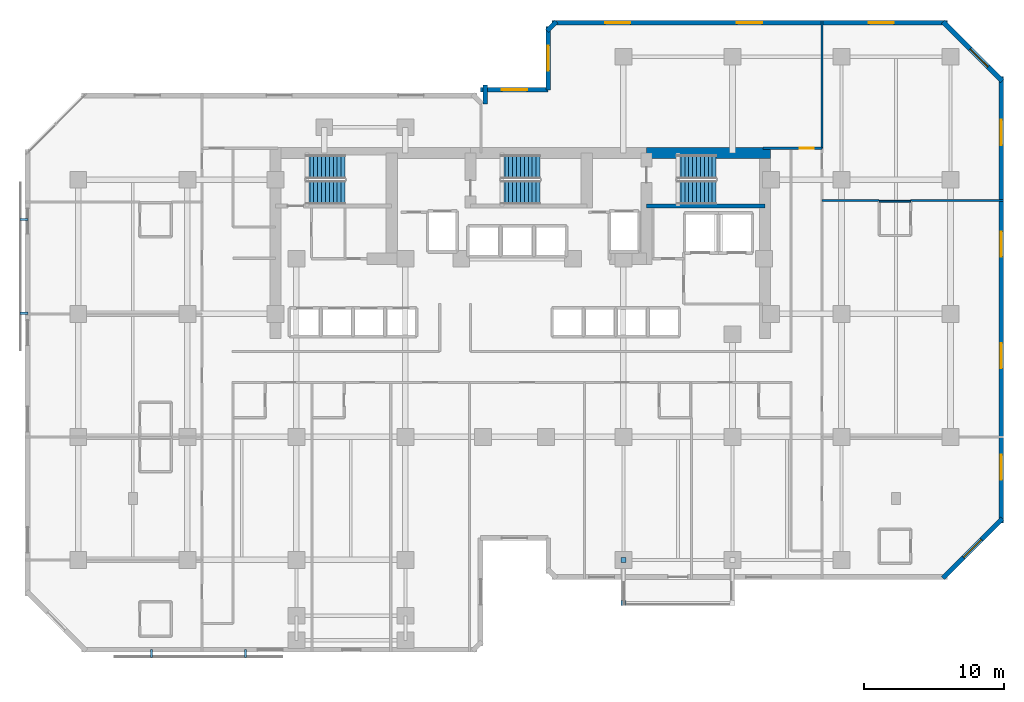
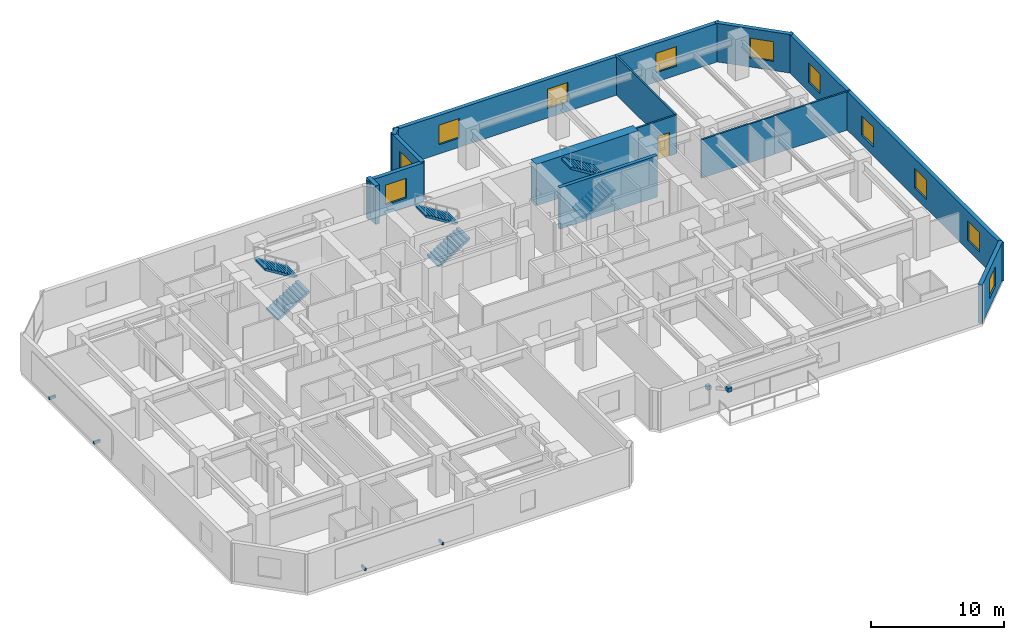
# One storey, part 10 of 13: 15 walls, 11 windows, 6 discrete accessories, 6 stair flights, 1 door, 12 openings, 3 elements without a shape of their own.
"""IFC4 building model written with IfcOpenShell, lengths in metres."""

from ifc_helpers import new_model, si_unit, direction, frame, frame_2d, origin, origin_2d, place, context, subcontext, project, spatial, polyline, rectangle, outline, extrude, material, layer, layer_set, type_object, element, fill, aggregate, save


model = new_model("IFC4")

# Units and contexts
model_context = context("Model", 3, precision=1e-05, world=origin(), true_north=direction((0.0, 1.0)))
body_context = subcontext(model_context, "Body", "Model", "MODEL_VIEW")
ifc_project = project(units=[si_unit("LENGTHUNIT", "METRE"), si_unit("AREAUNIT", "SQUARE_METRE"), si_unit("VOLUMEUNIT", "CUBIC_METRE"), si_unit("PLANEANGLEUNIT", "RADIAN"), si_unit("MASSUNIT", "GRAM", prefix="KILO")], contexts=[model_context])

# Site, building, storey
site_placement = place(None, origin())
site = spatial("IfcSite", under=ifc_project, at=site_placement, CompositionType="ELEMENT")
building_placement = place(site_placement, origin())
building = spatial("IfcBuilding", under=site, at=building_placement, Name="Kestravale Grand Hotel", CompositionType="ELEMENT")
storey_placement = place(building_placement, frame((0.0, 0.0, 88.0)))
storey = spatial("IfcBuildingStorey", under=building, at=storey_placement, Name="L21", CompositionType="ELEMENT", Elevation=88.0)

# Wall
ifc_material_1 = material(Name="Concrete f'c 60 MPa", Category="concrete")
ifc_layer_1 = layer(ifc_material_1, 0.800048828125)
ifc_layer_set_1 = layer_set([ifc_layer_1], Name="EW-CORE-800")
wall_type_1 = type_object("IfcWallType", Name="EW-CORE-800", PredefinedType="SHEAR", material=ifc_layer_set_1)
wall_1_placement = place(storey_placement, frame((48.449951171875, 40.320068359375, 0.0), z_axis=(0.0, 0.0, 1.0), x_axis=(1.0, 0.0, 0.0)))
element("IfcWall", 1, at=wall_1_placement, inside=storey, type_object=wall_type_1, Name="L21 core shear wall N3", PredefinedType="SHEAR", context=body_context, shape_type="SweptSolid", body=[
    extrude(rectangle(XDim=8.8701171875, YDim=0.800048828125, at=frame_2d((4.43505859375, 0.0))), origin(), (0.0, 0.0, 1.0), 3.800048828125),
])

# Wall, opening, window
ifc_material_2 = material(Name="Precast concrete f'c 45 MPa", Category="concrete")
ifc_layer_2 = layer(ifc_material_2, 0.340087890625)
ifc_layer_set_2 = layer_set([ifc_layer_2], Name="EW-PREC-340")
wall_type_2 = type_object("IfcWallType", Name="EW-PREC-340", PredefinedType="SOLIDWALL", material=ifc_layer_set_2)
wall_2_placement = place(storey_placement, frame((69.651611328125, 9.891845703125, 0.0), z_axis=(0.0, 0.0, 1.0), x_axis=(0.707106781187, 0.707106781187, 0.0)))
wall_2 = element("IfcWall", 2, at=wall_2_placement, inside=storey, type_object=wall_type_2, Name="L21 fluted precast facade wall 8", PredefinedType="SOLIDWALL", context=body_context, shape_type="SweptSolid", body=[
    extrude(rectangle(XDim=6.019775390625, YDim=0.340087890625, at=frame_2d((3.009765625, 0.0))), origin(), (0.0, 0.0, 1.0), 3.5400390625),
])
opening_1_placement = place(wall_2_placement, frame((2.10986328125, 0.0, 0.85009765625)))
opening_1 = element("IfcOpeningElement", 3, at=opening_1_placement, cuts=wall_2, Name="Opening W-GUEST-1800", PredefinedType="OPENING", context=body_context, shape_type="SweptSolid", body=[
    extrude(rectangle(XDim=1.800048828125, YDim=1.800048828125, at=frame_2d((0.89990234375, 0.89990234375))), frame((0.0, 0.179931640625, 0.0), z_axis=(0.0, -1.0, 0.0), x_axis=(1.0, 0.0, 0.0)), (0.0, 0.0, 1.0), 0.360107421875),
])
ifc_material_3 = material(Name="Insulated low-E double glazing in aluminium frame", Category="aluminium")
window_type = type_object("IfcWindowType", Name="W-GUEST-1800", PartitioningType="DOUBLE_PANEL_VERTICAL", PredefinedType="WINDOW", material=ifc_material_3)
window_1_placement = place(opening_1_placement, origin())
window_1 = element("IfcWindow", 4, at=window_1_placement, inside=storey, type_object=window_type, Name="L21 exterior window 8.1", OverallHeight=1.800048828125, OverallWidth=1.800048828125, PartitioningType="SINGLE_PANEL", PredefinedType="WINDOW", context=body_context, shape_type="SweptSolid", body=[
    extrude(rectangle(XDim=1.800048828125, YDim=1.800048828125, at=frame_2d((0.89990234375, 0.89990234375))), frame((0.0, 0.030029296875, 0.0), z_axis=(0.0, -1.0, 0.0), x_axis=(1.0, 0.0, 0.0)), (0.0, 0.0, 1.0), 0.06005859375),
])
fill(opening_1, window_1)

# Wall, openings, windows
wall_3_placement = place(storey_placement, frame((73.830078125, 13.830078125, 0.0), z_axis=(0.0, 0.0, 1.0), x_axis=(0.0, 1.0, 0.0)))
wall_3 = element("IfcWall", 5, at=wall_3_placement, inside=storey, type_object=wall_type_2, Name="L21 fluted precast facade wall 9", PredefinedType="SOLIDWALL", context=body_context, shape_type="SweptSolid", body=[
    extrude(rectangle(XDim=31.93994140625, YDim=0.340087890625, at=frame_2d((15.969970703125, 0.0))), origin(), (0.0, 0.0, 1.0), 3.5400390625),
])
opening_2_placement = place(wall_3_placement, frame((3.092529296875, 0.0, 0.85009765625)))
opening_2 = element("IfcOpeningElement", 6, at=opening_2_placement, cuts=wall_3, Name="Opening W-GUEST-1800", PredefinedType="OPENING", context=body_context, shape_type="SweptSolid", body=[
    extrude(rectangle(XDim=1.800048828125, YDim=1.800048828125, at=frame_2d((0.89990234375, 0.89990234375))), frame((0.0, 0.179931640625, 0.0), z_axis=(0.0, -1.0, 0.0), x_axis=(1.0, 0.0, 0.0)), (0.0, 0.0, 1.0), 0.360107421875),
])
opening_3_placement = place(wall_3_placement, frame((11.077392578125, 0.0, 0.85009765625)))
opening_3 = element("IfcOpeningElement", 7, at=opening_3_placement, cuts=wall_3, Name="Opening W-GUEST-1800", PredefinedType="OPENING", context=body_context, shape_type="SweptSolid", body=[
    extrude(rectangle(XDim=1.800048828125, YDim=1.800048828125, at=frame_2d((0.89990234375, 0.89990234375))), frame((0.0, 0.179931640625, 0.0), z_axis=(0.0, -1.0, 0.0), x_axis=(1.0, 0.0, 0.0)), (0.0, 0.0, 1.0), 0.360107421875),
])
opening_4_placement = place(wall_3_placement, frame((19.0625, 0.0, 0.85009765625)))
opening_4 = element("IfcOpeningElement", 8, at=opening_4_placement, cuts=wall_3, Name="Opening W-GUEST-1800", PredefinedType="OPENING", context=body_context, shape_type="SweptSolid", body=[
    extrude(rectangle(XDim=1.800048828125, YDim=1.800048828125, at=frame_2d((0.89990234375, 0.89990234375))), frame((0.0, 0.179931640625, 0.0), z_axis=(0.0, -1.0, 0.0), x_axis=(1.0, 0.0, 0.0)), (0.0, 0.0, 1.0), 0.360107421875),
])
opening_5_placement = place(wall_3_placement, frame((27.047607421875, 0.0, 0.85009765625)))
opening_5 = element("IfcOpeningElement", 9, at=opening_5_placement, cuts=wall_3, Name="Opening W-GUEST-1800", PredefinedType="OPENING", context=body_context, shape_type="SweptSolid", body=[
    extrude(rectangle(XDim=1.800048828125, YDim=1.800048828125, at=frame_2d((0.89990234375, 0.89990234375))), frame((0.0, 0.179931640625, 0.0), z_axis=(0.0, -1.0, 0.0), x_axis=(1.0, 0.0, 0.0)), (0.0, 0.0, 1.0), 0.360107421875),
])
window_2_placement = place(opening_2_placement, origin())
window_2 = element("IfcWindow", 10, at=window_2_placement, inside=storey, type_object=window_type, Name="L21 exterior window 9.1", OverallHeight=1.800048828125, OverallWidth=1.800048828125, PartitioningType="SINGLE_PANEL", PredefinedType="WINDOW", context=body_context, shape_type="SweptSolid", body=[
    extrude(rectangle(XDim=1.800048828125, YDim=1.800048828125, at=frame_2d((0.89990234375, 0.89990234375))), frame((0.0, 0.030029296875, 0.0), z_axis=(0.0, -1.0, 0.0), x_axis=(1.0, 0.0, 0.0)), (0.0, 0.0, 1.0), 0.06005859375),
])
fill(opening_2, window_2)
window_3_placement = place(opening_3_placement, origin())
window_3 = element("IfcWindow", 11, at=window_3_placement, inside=storey, type_object=window_type, Name="L21 exterior window 9.2", OverallHeight=1.800048828125, OverallWidth=1.800048828125, PartitioningType="SINGLE_PANEL", PredefinedType="WINDOW", context=body_context, shape_type="SweptSolid", body=[
    extrude(rectangle(XDim=1.800048828125, YDim=1.800048828125, at=frame_2d((0.89990234375, 0.89990234375))), frame((0.0, 0.030029296875, 0.0), z_axis=(0.0, -1.0, 0.0), x_axis=(1.0, 0.0, 0.0)), (0.0, 0.0, 1.0), 0.06005859375),
])
fill(opening_3, window_3)
window_4_placement = place(opening_4_placement, origin())
window_4 = element("IfcWindow", 12, at=window_4_placement, inside=storey, type_object=window_type, Name="L21 exterior window 9.3", OverallHeight=1.800048828125, OverallWidth=1.800048828125, PartitioningType="SINGLE_PANEL", PredefinedType="WINDOW", context=body_context, shape_type="SweptSolid", body=[
    extrude(rectangle(XDim=1.800048828125, YDim=1.800048828125, at=frame_2d((0.89990234375, 0.89990234375))), frame((0.0, 0.030029296875, 0.0), z_axis=(0.0, -1.0, 0.0), x_axis=(1.0, 0.0, 0.0)), (0.0, 0.0, 1.0), 0.06005859375),
])
fill(opening_4, window_4)
window_5_placement = place(opening_5_placement, origin())
window_5 = element("IfcWindow", 13, at=window_5_placement, inside=storey, type_object=window_type, Name="L21 exterior window 9.4", OverallHeight=1.800048828125, OverallWidth=1.800048828125, PartitioningType="SINGLE_PANEL", PredefinedType="WINDOW", context=body_context, shape_type="SweptSolid", body=[
    extrude(rectangle(XDim=1.800048828125, YDim=1.800048828125, at=frame_2d((0.89990234375, 0.89990234375))), frame((0.0, 0.030029296875, 0.0), z_axis=(0.0, -1.0, 0.0), x_axis=(1.0, 0.0, 0.0)), (0.0, 0.0, 1.0), 0.06005859375),
])
fill(opening_5, window_5)

# Wall, opening, window
wall_4_placement = place(storey_placement, frame((73.908203125, 45.451416015625, 0.0), z_axis=(0.0, 0.0, 1.0), x_axis=(-0.707106781187, 0.707106781187, 0.0)))
wall_4 = element("IfcWall", 14, at=wall_4_placement, inside=storey, type_object=wall_type_2, Name="L21 fluted precast facade wall 10", PredefinedType="SOLIDWALL", context=body_context, shape_type="SweptSolid", body=[
    extrude(rectangle(XDim=6.019775390625, YDim=0.340087890625, at=frame_2d((3.009765625, 0.0))), origin(), (0.0, 0.0, 1.0), 3.5400390625),
])
opening_6_placement = place(wall_4_placement, frame((1.4599609375, 0.0, 0.85009765625)))
opening_6 = element("IfcOpeningElement", 15, at=opening_6_placement, cuts=wall_4, Name="Opening W-GUEST-1800", PredefinedType="OPENING", context=body_context, shape_type="SweptSolid", body=[
    extrude(rectangle(XDim=1.800048828125, YDim=1.800048828125, at=frame_2d((0.89990234375, 0.89990234375))), frame((0.0, 0.179931640625, 0.0), z_axis=(0.0, -1.0, 0.0), x_axis=(1.0, 0.0, 0.0)), (0.0, 0.0, 1.0), 0.360107421875),
])
window_6_placement = place(opening_6_placement, origin())
window_6 = element("IfcWindow", 16, at=window_6_placement, inside=storey, type_object=window_type, Name="L21 exterior window 10.1", OverallHeight=1.800048828125, OverallWidth=1.800048828125, PartitioningType="SINGLE_PANEL", PredefinedType="WINDOW", context=body_context, shape_type="SweptSolid", body=[
    extrude(rectangle(XDim=1.800048828125, YDim=1.800048828125, at=frame_2d((0.89990234375, 0.89990234375))), frame((0.0, 0.030029296875, 0.0), z_axis=(0.0, -1.0, 0.0), x_axis=(1.0, 0.0, 0.0)), (0.0, 0.0, 1.0), 0.06005859375),
])
fill(opening_6, window_6)

# Wall, openings, windows
wall_5_placement = place(storey_placement, frame((69.969970703125, 49.6298828125, 0.0), z_axis=(0.0, 0.0, 1.0), x_axis=(-1.0, 0.0, 0.0)))
wall_5 = element("IfcWall", 17, at=wall_5_placement, inside=storey, type_object=wall_type_2, Name="L21 fluted precast facade wall 11", PredefinedType="SOLIDWALL", context=body_context, shape_type="SweptSolid", body=[
    extrude(rectangle(XDim=28.2900390625, YDim=0.340087890625, at=frame_2d((14.14501953125, 0.0))), origin(), (0.0, 0.0, 1.0), 3.5400390625),
])
opening_7_placement = place(wall_5_placement, frame((3.81494140625, 0.0, 0.85009765625)))
opening_7 = element("IfcOpeningElement", 18, at=opening_7_placement, cuts=wall_5, Name="Opening W-GUEST-1800", PredefinedType="OPENING", context=body_context, shape_type="SweptSolid", body=[
    extrude(rectangle(XDim=1.800048828125, YDim=1.800048828125, at=frame_2d((0.89990234375, 0.89990234375))), frame((0.0, 0.179931640625, 0.0), z_axis=(0.0, -1.0, 0.0), x_axis=(1.0, 0.0, 0.0)), (0.0, 0.0, 1.0), 0.360107421875),
])
opening_8_placement = place(wall_5_placement, frame((13.2451171875, 0.0, 0.85009765625)))
opening_8 = element("IfcOpeningElement", 19, at=opening_8_placement, cuts=wall_5, Name="Opening W-GUEST-1800", PredefinedType="OPENING", context=body_context, shape_type="SweptSolid", body=[
    extrude(rectangle(XDim=1.800048828125, YDim=1.800048828125, at=frame_2d((0.89990234375, 0.89990234375))), frame((0.0, 0.179931640625, 0.0), z_axis=(0.0, -1.0, 0.0), x_axis=(1.0, 0.0, 0.0)), (0.0, 0.0, 1.0), 0.360107421875),
])
opening_9_placement = place(wall_5_placement, frame((22.675048828125, 0.0, 0.85009765625)))
opening_9 = element("IfcOpeningElement", 20, at=opening_9_placement, cuts=wall_5, Name="Opening W-GUEST-1800", PredefinedType="OPENING", context=body_context, shape_type="SweptSolid", body=[
    extrude(rectangle(XDim=1.800048828125, YDim=1.800048828125, at=frame_2d((0.89990234375, 0.89990234375))), frame((0.0, 0.179931640625, 0.0), z_axis=(0.0, -1.0, 0.0), x_axis=(1.0, 0.0, 0.0)), (0.0, 0.0, 1.0), 0.360107421875),
])
window_7_placement = place(opening_7_placement, origin())
window_7 = element("IfcWindow", 21, at=window_7_placement, inside=storey, type_object=window_type, Name="L21 exterior window 11.1", OverallHeight=1.800048828125, OverallWidth=1.800048828125, PartitioningType="SINGLE_PANEL", PredefinedType="WINDOW", context=body_context, shape_type="SweptSolid", body=[
    extrude(rectangle(XDim=1.800048828125, YDim=1.800048828125, at=frame_2d((0.89990234375, 0.89990234375))), frame((0.0, 0.030029296875, 0.0), z_axis=(0.0, -1.0, 0.0), x_axis=(1.0, 0.0, 0.0)), (0.0, 0.0, 1.0), 0.06005859375),
])
fill(opening_7, window_7)
window_8_placement = place(opening_8_placement, origin())
window_8 = element("IfcWindow", 22, at=window_8_placement, inside=storey, type_object=window_type, Name="L21 exterior window 11.2", OverallHeight=1.800048828125, OverallWidth=1.800048828125, PartitioningType="SINGLE_PANEL", PredefinedType="WINDOW", context=body_context, shape_type="SweptSolid", body=[
    extrude(rectangle(XDim=1.800048828125, YDim=1.800048828125, at=frame_2d((0.89990234375, 0.89990234375))), frame((0.0, 0.030029296875, 0.0), z_axis=(0.0, -1.0, 0.0), x_axis=(1.0, 0.0, 0.0)), (0.0, 0.0, 1.0), 0.06005859375),
])
fill(opening_8, window_8)
window_9_placement = place(opening_9_placement, origin())
window_9 = element("IfcWindow", 23, at=window_9_placement, inside=storey, type_object=window_type, Name="L21 exterior window 11.3", OverallHeight=1.800048828125, OverallWidth=1.800048828125, PartitioningType="SINGLE_PANEL", PredefinedType="WINDOW", context=body_context, shape_type="SweptSolid", body=[
    extrude(rectangle(XDim=1.800048828125, YDim=1.800048828125, at=frame_2d((0.89990234375, 0.89990234375))), frame((0.0, 0.030029296875, 0.0), z_axis=(0.0, -1.0, 0.0), x_axis=(1.0, 0.0, 0.0)), (0.0, 0.0, 1.0), 0.06005859375),
])
fill(opening_9, window_9)

# Wall
wall_6_placement = place(storey_placement, frame((41.99853515625, 49.7080078125, 0.0), z_axis=(0.0, 0.0, 1.0), x_axis=(-0.707238225886, -0.706975312048, 0.0)))
element("IfcWall", 24, at=wall_6_placement, inside=storey, type_object=wall_type_2, Name="L21 fluted precast facade wall 12", PredefinedType="SOLIDWALL", context=body_context, shape_type="SweptSolid", body=[
    extrude(rectangle(XDim=0.9287109375, YDim=0.340087890625, at=frame_2d((0.46435546875, 0.0))), origin(), (0.0, 0.0, 1.0), 3.5400390625),
])

# Wall, opening, window
wall_7_placement = place(storey_placement, frame((41.419921875, 49.3701171875, 0.0), z_axis=(0.0, 0.0, 1.0), x_axis=(0.0, -1.0, 0.0)))
wall_7 = element("IfcWall", 25, at=wall_7_placement, inside=storey, type_object=wall_type_2, Name="L21 fluted precast facade wall 13", PredefinedType="SOLIDWALL", context=body_context, shape_type="SweptSolid", body=[
    extrude(rectangle(XDim=4.5400390625, YDim=0.340087890625, at=frame_2d((2.27001953125, 0.0))), origin(), (0.0, 0.0, 1.0), 3.5400390625),
])
opening_10_placement = place(wall_7_placement, frame((1.3701171875, 0.0, 0.85009765625)))
opening_10 = element("IfcOpeningElement", 26, at=opening_10_placement, cuts=wall_7, Name="Opening W-GUEST-1800", PredefinedType="OPENING", context=body_context, shape_type="SweptSolid", body=[
    extrude(rectangle(XDim=1.800048828125, YDim=1.800048828125, at=frame_2d((0.89990234375, 0.89990234375))), frame((0.0, 0.179931640625, 0.0), z_axis=(0.0, -1.0, 0.0), x_axis=(1.0, 0.0, 0.0)), (0.0, 0.0, 1.0), 0.360107421875),
])
window_10_placement = place(opening_10_placement, origin())
window_10 = element("IfcWindow", 27, at=window_10_placement, inside=storey, type_object=window_type, Name="L21 exterior window 13.1", OverallHeight=1.800048828125, OverallWidth=1.800048828125, PartitioningType="SINGLE_PANEL", PredefinedType="WINDOW", context=body_context, shape_type="SweptSolid", body=[
    extrude(rectangle(XDim=1.800048828125, YDim=1.800048828125, at=frame_2d((0.89990234375, 0.89990234375))), frame((0.0, 0.030029296875, 0.0), z_axis=(0.0, -1.0, 0.0), x_axis=(1.0, 0.0, 0.0)), (0.0, 0.0, 1.0), 0.06005859375),
])
fill(opening_10, window_10)

wall_8_placement = place(storey_placement, frame((41.419921875, 44.830078125, 0.0), z_axis=(0.0, 0.0, 1.0), x_axis=(-1.0, 0.0, 0.0)))
wall_8 = element("IfcWall", 28, at=wall_8_placement, inside=storey, type_object=wall_type_2, Name="L21 fluted precast facade wall 14", PredefinedType="SOLIDWALL", context=body_context, shape_type="SweptSolid", body=[
    extrude(rectangle(XDim=4.83984375, YDim=0.340087890625, at=frame_2d((2.419921875, 0.0))), origin(), (0.0, 0.0, 1.0), 3.5400390625),
])
opening_11_placement = place(wall_8_placement, frame((1.52001953125, 0.0, 0.85009765625)))
opening_11 = element("IfcOpeningElement", 29, at=opening_11_placement, cuts=wall_8, Name="Opening W-GUEST-1800", PredefinedType="OPENING", context=body_context, shape_type="SweptSolid", body=[
    extrude(rectangle(XDim=1.800048828125, YDim=1.800048828125, at=frame_2d((0.89990234375, 0.89990234375))), frame((0.0, 0.179931640625, 0.0), z_axis=(0.0, -1.0, 0.0), x_axis=(1.0, 0.0, 0.0)), (0.0, 0.0, 1.0), 0.360107421875),
])
window_11_placement = place(opening_11_placement, origin())
window_11 = element("IfcWindow", 30, at=window_11_placement, inside=storey, type_object=window_type, Name="L21 exterior window 14.1", OverallHeight=1.800048828125, OverallWidth=1.800048828125, PartitioningType="SINGLE_PANEL", PredefinedType="WINDOW", context=body_context, shape_type="SweptSolid", body=[
    extrude(rectangle(XDim=1.800048828125, YDim=1.800048828125, at=frame_2d((0.89990234375, 0.89990234375))), frame((0.0, 0.030029296875, 0.0), z_axis=(0.0, -1.0, 0.0), x_axis=(1.0, 0.0, 0.0)), (0.0, 0.0, 1.0), 0.06005859375),
])
fill(opening_11, window_11)

# Walls
wall_9_placement = place(storey_placement, frame((36.919921875, 45.169921875, 0.0), z_axis=(0.0, 0.0, 1.0), x_axis=(0.0, -1.0, 0.0)))
element("IfcWall", 31, at=wall_9_placement, inside=storey, type_object=wall_type_2, Name="L21 fluted precast facade wall 15", PredefinedType="SOLIDWALL", context=body_context, shape_type="SweptSolid", body=[
    extrude(rectangle(XDim=1.33984375, YDim=0.340087890625, at=frame_2d((0.669921875, 0.0))), origin(), (0.0, 0.0, 1.0), 3.5400390625),
])
ifc_material_4 = material(Name="Concrete f'c 45 MPa", Category="concrete")
ifc_layer_3 = layer(ifc_material_4, 0.300048828125)
ifc_layer_set_3 = layer_set([ifc_layer_3], Name="EW-STAIR-300")
wall_type_3 = type_object("IfcWallType", Name="EW-STAIR-300", PredefinedType="SHEAR", material=ifc_layer_set_3)
wall_10_placement = place(storey_placement, frame((48.449951171875, 36.52001953125, 0.0), z_axis=(0.0, 0.0, 1.0), x_axis=(1.0, 0.0, 0.0)))
element("IfcWall", 32, at=wall_10_placement, inside=storey, type_object=wall_type_3, Name="L21 stair enclosure shear wall SST3", PredefinedType="SHEAR", context=body_context, shape_type="SweptSolid", body=[
    extrude(rectangle(XDim=8.469970703125, YDim=0.300048828125, at=frame_2d((4.23486328125, 0.0))), origin(), (0.0, 0.0, 1.0), 3.800048828125),
])
ifc_material_5 = material(Name="Moisture-resistant tile-backer plumbing chase wall", Category="other")
ifc_layer_4 = layer(ifc_material_5, 0.139892578125)
ifc_layer_set_4 = layer_set([ifc_layer_4], Name="IW-PLB-140")
wall_type_4 = type_object("IfcWallType", Name="IW-PLB-140", PredefinedType="PLUMBINGWALL", material=ifc_layer_set_4)
wall_11_placement = place(storey_placement, frame((65.10009765625, 36.860107421875, 0.0), z_axis=(0.0, 0.0, 1.0), x_axis=(1.0, 0.0, 0.0)))
element("IfcWall", 33, at=wall_11_placement, inside=storey, type_object=wall_type_4, Name="W-L21-U10-BN", PredefinedType="PLUMBINGWALL", context=body_context, shape_type="SweptSolid", body=[
    extrude(rectangle(XDim=2.25, YDim=0.139892578125, at=frame_2d((1.125, 0.0))), origin(), (0.0, 0.0, 1.0), 3.5400390625),
])

# Wall, opening, door
ifc_material_6 = material(Name="Double-stud STC 52 acoustic demising partition", Category="other")
ifc_layer_5 = layer(ifc_material_6, 0.14990234375)
ifc_layer_set_5 = layer_set([ifc_layer_5], Name="IW-UNIT-150")
wall_type_5 = type_object("IfcWallType", Name="IW-UNIT-150", PredefinedType="PARTITIONING", material=ifc_layer_set_5)
wall_12_placement = place(storey_placement, frame((56.800048828125, 40.64990234375, 0.0), z_axis=(0.0, 0.0, 1.0), x_axis=(1.0, 0.0, 0.0)))
wall_12 = element("IfcWall", 34, at=wall_12_placement, inside=storey, type_object=wall_type_5, Name="W-L21-SE-N", PredefinedType="PARTITIONING", context=body_context, shape_type="SweptSolid", body=[
    extrude(rectangle(XDim=4.2099609375, YDim=0.14990234375, at=frame_2d((2.10498046875, 0.0))), origin(), (0.0, 0.0, 1.0), 3.5400390625),
])
opening_12_placement = place(wall_12_placement, frame((2.60009765625, 0.0, 0.0)))
opening_12 = element("IfcOpeningElement", 35, at=opening_12_placement, cuts=wall_12, Name="Opening D-GUEST-1000", PredefinedType="OPENING", context=body_context, shape_type="SweptSolid", body=[
    extrude(rectangle(XDim=1.0, YDim=2.14990234375, at=frame_2d((0.5, 1.074951171875))), frame((0.0, 0.0849609375, 0.0), z_axis=(0.0, -1.0, 0.0), x_axis=(1.0, 0.0, 0.0)), (0.0, 0.0, 1.0), 0.169921875),
])
ifc_material_7 = material(Name="Accessible walnut veneer hotel entrance fire door", Category="wood")
door_type = type_object("IfcDoorType", Name="D-GUEST-1000", OperationType="NOTDEFINED", PredefinedType="DOOR", material=ifc_material_7)
door_placement = place(opening_12_placement, origin())
door = element("IfcDoor", 36, at=door_placement, inside=storey, type_object=door_type, Name="L21 NE Gallery Door", OperationType="SINGLE_SWING_LEFT", OverallHeight=2.14990234375, OverallWidth=1.0, PredefinedType="DOOR", context=body_context, shape_type="SweptSolid", body=[
    extrude(rectangle(XDim=1.0, YDim=2.14990234375, at=frame_2d((0.5, 1.074951171875))), frame((0.0, 0.02490234375, 0.0), z_axis=(0.0, -1.0, 0.0), x_axis=(1.0, 0.0, 0.0)), (0.0, 0.0, 1.0), 0.050048828125),
])
fill(opening_12, door)

# Walls
wall_13_placement = place(storey_placement, frame((61.010009765625, 40.64990234375, 0.0), z_axis=(0.0, 0.0, 1.0), x_axis=(0.0, 1.0, 0.0)))
element("IfcWall", 37, at=wall_13_placement, inside=storey, type_object=wall_type_5, Name="W-L21-NGE-E", PredefinedType="PARTITIONING", context=body_context, shape_type="SweptSolid", body=[
    extrude(rectangle(XDim=9.130126953125, YDim=0.14990234375, at=frame_2d((4.56494140625, 0.0))), origin(), (0.0, 0.0, 1.0), 3.5400390625),
])
wall_14_placement = place(storey_placement, frame((61.010009765625, 36.89990234375, 0.0), z_axis=(0.0, 0.0, 1.0), x_axis=(1.0, 0.0, 0.0)))
element("IfcWall", 38, at=wall_14_placement, inside=storey, type_object=wall_type_5, Name="W-L21-EW-2", PredefinedType="PARTITIONING", context=body_context, shape_type="SweptSolid", body=[
    extrude(rectangle(XDim=4.090087890625, YDim=0.14990234375, at=frame_2d((2.044921875, 0.0))), origin(), (0.0, 0.0, 1.0), 3.5400390625),
])
wall_15_placement = place(storey_placement, frame((67.35009765625, 36.89990234375, 0.0), z_axis=(0.0, 0.0, 1.0), x_axis=(1.0, 0.0, 0.0)))
element("IfcWall", 39, at=wall_15_placement, inside=storey, type_object=wall_type_5, Name="W-L21-EW-2", PredefinedType="PARTITIONING", context=body_context, shape_type="SweptSolid", body=[
    extrude(rectangle(XDim=6.6298828125, YDim=0.14990234375, at=frame_2d((3.31494140625, 0.0))), origin(), (0.0, 0.0, 1.0), 3.5400390625),
])

# Stair, stair flights
ifc_material_8 = material(Name="Concrete f'c 45 MPa", Category="concrete")
stair_type = type_object("IfcStairType", Name="ST-CORE-380", PredefinedType="HALF_TURN_STAIR", material=ifc_material_8)
stair_1_placement = place(storey_placement, origin())
stair_1 = element("IfcStair", 40, at=stair_1_placement, inside=storey, type_object=stair_type, Name="L21 ST-1", PredefinedType="HALF_TURN_STAIR")
ifc_material_9 = material(Name="Concrete f'c 45 MPa", Category="concrete")
stair_flight_type = type_object("IfcStairFlightType", Name="STF-CORE-380", PredefinedType="STRAIGHT", material=ifc_material_9)
stair_flight_1_placement = place(storey_placement, frame((24.080078125, 37.489990234375, 0.0), z_axis=(0.0, 0.0, 1.0), x_axis=(1.0, 0.0, 0.0)))
stair_flight_1 = element("IfcStairFlight", 41, at=stair_flight_1_placement, type_object=stair_flight_type, Name="ST-1 flight 1", NumberOfRisers=11, NumberOfTreads=10, PredefinedType="STRAIGHT", RiserHeight=0.172727273, TreadLength=0.28, context=body_context, shape_type="SweptSolid", body=[
    extrude(outline(polyline([(0.0, 0.0), (0.0, 0.172607421875), (0.280029296875, 0.172607421875), (0.280029296875, 0.345458984375), (0.56005859375, 0.345458984375), (0.56005859375, 0.51806640625), (0.840087890625, 0.51806640625), (0.840087890625, 0.69091796875), (1.1201171875, 0.69091796875), (1.1201171875, 0.863525390625), (1.39990234375, 0.863525390625), (1.39990234375, 1.036376953125), (1.679931640625, 1.036376953125), (1.679931640625, 1.208984375), (1.9599609375, 1.208984375), (1.9599609375, 1.3818359375), (2.239990234375, 1.3818359375), (2.239990234375, 1.554443359375), (2.52001953125, 1.554443359375), (2.52001953125, 1.727294921875), (2.800048828125, 1.727294921875), (2.800048828125, 1.89990234375), (2.800048828125, 1.551025390625), (0.285400390625, 0.0), (0.0, 0.0)])), frame((0.0, 0.83984375, 0.0), z_axis=(0.0, -1.0, 0.0), x_axis=(1.0, 0.0, 0.0)), (0.0, 0.0, 1.0), 1.679931640625),
])
stair_flight_2_placement = place(storey_placement, frame((26.8798828125, 39.320068359375, 1.89990234375), z_axis=(0.0, 0.0, 1.0), x_axis=(-1.0, 0.0, 0.0)))
stair_flight_2 = element("IfcStairFlight", 42, at=stair_flight_2_placement, type_object=stair_flight_type, Name="ST-1 flight 2", NumberOfRisers=11, NumberOfTreads=10, PredefinedType="STRAIGHT", RiserHeight=0.172727273, TreadLength=0.28, context=body_context, shape_type="SweptSolid", body=[
    extrude(outline(polyline([(0.0, 0.0), (0.0, 0.172607421875), (0.280029296875, 0.172607421875), (0.280029296875, 0.345458984375), (0.56005859375, 0.345458984375), (0.56005859375, 0.51806640625), (0.840087890625, 0.51806640625), (0.840087890625, 0.69091796875), (1.1201171875, 0.69091796875), (1.1201171875, 0.863525390625), (1.39990234375, 0.863525390625), (1.39990234375, 1.036376953125), (1.679931640625, 1.036376953125), (1.679931640625, 1.208984375), (1.9599609375, 1.208984375), (1.9599609375, 1.3818359375), (2.239990234375, 1.3818359375), (2.239990234375, 1.554443359375), (2.52001953125, 1.554443359375), (2.52001953125, 1.727294921875), (2.800048828125, 1.727294921875), (2.800048828125, 1.89990234375), (2.800048828125, 1.551025390625), (0.285400390625, 0.0), (0.0, 0.0)])), frame((0.0, 0.83984375, 0.0), z_axis=(0.0, -1.0, 0.0), x_axis=(1.0, 0.0, 0.0)), (0.0, 0.0, 1.0), 1.679931640625),
])
aggregate(stair_1, [stair_flight_1, stair_flight_2])

stair_2_placement = place(storey_placement, origin())
stair_2 = element("IfcStair", 43, at=stair_2_placement, inside=storey, type_object=stair_type, Name="L21 ST-2", PredefinedType="HALF_TURN_STAIR")
stair_flight_3_placement = place(storey_placement, frame((38.030029296875, 37.489990234375, 0.0), z_axis=(0.0, 0.0, 1.0), x_axis=(1.0, 0.0, 0.0)))
stair_flight_3 = element("IfcStairFlight", 44, at=stair_flight_3_placement, type_object=stair_flight_type, Name="ST-2 flight 1", NumberOfRisers=11, NumberOfTreads=10, PredefinedType="STRAIGHT", RiserHeight=0.172727273, TreadLength=0.28, context=body_context, shape_type="SweptSolid", body=[
    extrude(outline(polyline([(0.0, 0.0), (0.0, 0.172607421875), (0.280029296875, 0.172607421875), (0.280029296875, 0.345458984375), (0.56005859375, 0.345458984375), (0.56005859375, 0.51806640625), (0.840087890625, 0.51806640625), (0.840087890625, 0.69091796875), (1.1201171875, 0.69091796875), (1.1201171875, 0.863525390625), (1.39990234375, 0.863525390625), (1.39990234375, 1.036376953125), (1.679931640625, 1.036376953125), (1.679931640625, 1.208984375), (1.9599609375, 1.208984375), (1.9599609375, 1.3818359375), (2.239990234375, 1.3818359375), (2.239990234375, 1.554443359375), (2.52001953125, 1.554443359375), (2.52001953125, 1.727294921875), (2.800048828125, 1.727294921875), (2.800048828125, 1.89990234375), (2.800048828125, 1.551025390625), (0.285400390625, 0.0), (0.0, 0.0)])), frame((0.0, 0.83984375, 0.0), z_axis=(0.0, -1.0, 0.0), x_axis=(1.0, 0.0, 0.0)), (0.0, 0.0, 1.0), 1.679931640625),
])
stair_flight_4_placement = place(storey_placement, frame((40.830078125, 39.320068359375, 1.89990234375), z_axis=(0.0, 0.0, 1.0), x_axis=(-1.0, 0.0, 0.0)))
stair_flight_4 = element("IfcStairFlight", 45, at=stair_flight_4_placement, type_object=stair_flight_type, Name="ST-2 flight 2", NumberOfRisers=11, NumberOfTreads=10, PredefinedType="STRAIGHT", RiserHeight=0.172727273, TreadLength=0.28, context=body_context, shape_type="SweptSolid", body=[
    extrude(outline(polyline([(0.0, 0.0), (0.0, 0.172607421875), (0.280029296875, 0.172607421875), (0.280029296875, 0.345458984375), (0.56005859375, 0.345458984375), (0.56005859375, 0.51806640625), (0.840087890625, 0.51806640625), (0.840087890625, 0.69091796875), (1.1201171875, 0.69091796875), (1.1201171875, 0.863525390625), (1.39990234375, 0.863525390625), (1.39990234375, 1.036376953125), (1.679931640625, 1.036376953125), (1.679931640625, 1.208984375), (1.9599609375, 1.208984375), (1.9599609375, 1.3818359375), (2.239990234375, 1.3818359375), (2.239990234375, 1.554443359375), (2.52001953125, 1.554443359375), (2.52001953125, 1.727294921875), (2.800048828125, 1.727294921875), (2.800048828125, 1.89990234375), (2.800048828125, 1.551025390625), (0.285400390625, 0.0), (0.0, 0.0)])), frame((0.0, 0.83984375, 0.0), z_axis=(0.0, -1.0, 0.0), x_axis=(1.0, 0.0, 0.0)), (0.0, 0.0, 1.0), 1.679931640625),
])
aggregate(stair_2, [stair_flight_3, stair_flight_4])

stair_3_placement = place(storey_placement, origin())
stair_3 = element("IfcStair", 46, at=stair_3_placement, inside=storey, type_object=stair_type, Name="L21 ST-3", PredefinedType="HALF_TURN_STAIR")
stair_flight_5_placement = place(storey_placement, frame((50.6298828125, 37.489990234375, 0.0), z_axis=(0.0, 0.0, 1.0), x_axis=(1.0, 0.0, 0.0)))
stair_flight_5 = element("IfcStairFlight", 47, at=stair_flight_5_placement, type_object=stair_flight_type, Name="ST-3 flight 1", NumberOfRisers=11, NumberOfTreads=10, PredefinedType="STRAIGHT", RiserHeight=0.172727273, TreadLength=0.28, context=body_context, shape_type="SweptSolid", body=[
    extrude(outline(polyline([(0.0, 0.0), (0.0, 0.172607421875), (0.280029296875, 0.172607421875), (0.280029296875, 0.345458984375), (0.56005859375, 0.345458984375), (0.56005859375, 0.51806640625), (0.840087890625, 0.51806640625), (0.840087890625, 0.69091796875), (1.1201171875, 0.69091796875), (1.1201171875, 0.863525390625), (1.39990234375, 0.863525390625), (1.39990234375, 1.036376953125), (1.679931640625, 1.036376953125), (1.679931640625, 1.208984375), (1.9599609375, 1.208984375), (1.9599609375, 1.3818359375), (2.239990234375, 1.3818359375), (2.239990234375, 1.554443359375), (2.52001953125, 1.554443359375), (2.52001953125, 1.727294921875), (2.800048828125, 1.727294921875), (2.800048828125, 1.89990234375), (2.800048828125, 1.551025390625), (0.285400390625, 0.0), (0.0, 0.0)])), frame((0.0, 0.83984375, 0.0), z_axis=(0.0, -1.0, 0.0), x_axis=(1.0, 0.0, 0.0)), (0.0, 0.0, 1.0), 1.679931640625),
])
stair_flight_6_placement = place(storey_placement, frame((53.429931640625, 39.320068359375, 1.89990234375), z_axis=(0.0, 0.0, 1.0), x_axis=(-1.0, 0.0, 0.0)))
stair_flight_6 = element("IfcStairFlight", 48, at=stair_flight_6_placement, type_object=stair_flight_type, Name="ST-3 flight 2", NumberOfRisers=11, NumberOfTreads=10, PredefinedType="STRAIGHT", RiserHeight=0.172727273, TreadLength=0.28, context=body_context, shape_type="SweptSolid", body=[
    extrude(outline(polyline([(0.0, 0.0), (0.0, 0.172607421875), (0.280029296875, 0.172607421875), (0.280029296875, 0.345458984375), (0.56005859375, 0.345458984375), (0.56005859375, 0.51806640625), (0.840087890625, 0.51806640625), (0.840087890625, 0.69091796875), (1.1201171875, 0.69091796875), (1.1201171875, 0.863525390625), (1.39990234375, 0.863525390625), (1.39990234375, 1.036376953125), (1.679931640625, 1.036376953125), (1.679931640625, 1.208984375), (1.9599609375, 1.208984375), (1.9599609375, 1.3818359375), (2.239990234375, 1.3818359375), (2.239990234375, 1.554443359375), (2.52001953125, 1.554443359375), (2.52001953125, 1.727294921875), (2.800048828125, 1.727294921875), (2.800048828125, 1.89990234375), (2.800048828125, 1.551025390625), (0.285400390625, 0.0), (0.0, 0.0)])), frame((0.0, 0.83984375, 0.0), z_axis=(0.0, -1.0, 0.0), x_axis=(1.0, 0.0, 0.0)), (0.0, 0.0, 1.0), 1.679931640625),
])
aggregate(stair_3, [stair_flight_5, stair_flight_6])

# Discrete accessories
ifc_material_10 = material(Name="Steel ASTM A572 Grade 50 hot-dip galvanised bracket", Category="steel")
discrete_accessory_type = type_object("IfcDiscreteAccessoryType", Name="ACC-BRK-STL", PredefinedType="BRACKET", material=ifc_material_10)
for number, where, z_axis, x_axis, name in (
    (49, (46.800048828125, 11.199951171875, 1.19384765625), (0.0, 0.0, 1.0), (1.0, 0.0, 0.0), "L22 terrace strut column bracket 1"),
    (50, (46.800048828125, 8.10009765625, 2.89404296875), (0.0, 0.0, 1.0), (1.0, 0.0, 0.0), "L22 terrace strut beam bracket 1"),
):
    element("IfcDiscreteAccessory", number, at=place(storey_placement, frame(where, z_axis=z_axis, x_axis=x_axis)), inside=storey, type_object=discrete_accessory_type, Name=name, PredefinedType="BRACKET", context=body_context, shape_type="SweptSolid", body=[
        extrude(rectangle(XDim=0.360107421875, YDim=0.360107421875, at=origin_2d()), origin(), (0.0, 0.0, 1.0), 0.360107421875),
    ])
for number, where, z_axis, x_axis, name in (
    (51, (13.0400390625, 4.5048828125, 0.56005859375), (0.0, 0.0, 1.0), (1.0, 0.0, 0.0), "L21 solar screen standoff bracket 1"),
    (52, (19.760009765625, 4.5048828125, 0.56005859375), (0.0, 0.0, 1.0), (1.0, 0.0, 0.0), "L21 solar screen standoff bracket 2"),
    (53, (3.905029296875, 35.56005859375, 0.56005859375), (0.0, 0.0, 1.0), (0.0, -1.0, 0.0), "L21 solar screen standoff bracket 1"),
    (54, (3.905029296875, 28.840087890625, 0.56005859375), (0.0, 0.0, 1.0), (0.0, -1.0, 0.0), "L21 solar screen standoff bracket 2"),
):
    element("IfcDiscreteAccessory", number, at=place(storey_placement, frame(where, z_axis=z_axis, x_axis=x_axis)), inside=storey, type_object=discrete_accessory_type, Name=name, PredefinedType="BRACKET", context=body_context, shape_type="SweptSolid", body=[
        extrude(rectangle(XDim=0.159912109375, YDim=0.56005859375, at=origin_2d()), origin(), (0.0, 0.0, 1.0), 0.239990234375),
    ])

save(model, "model.ifc")
